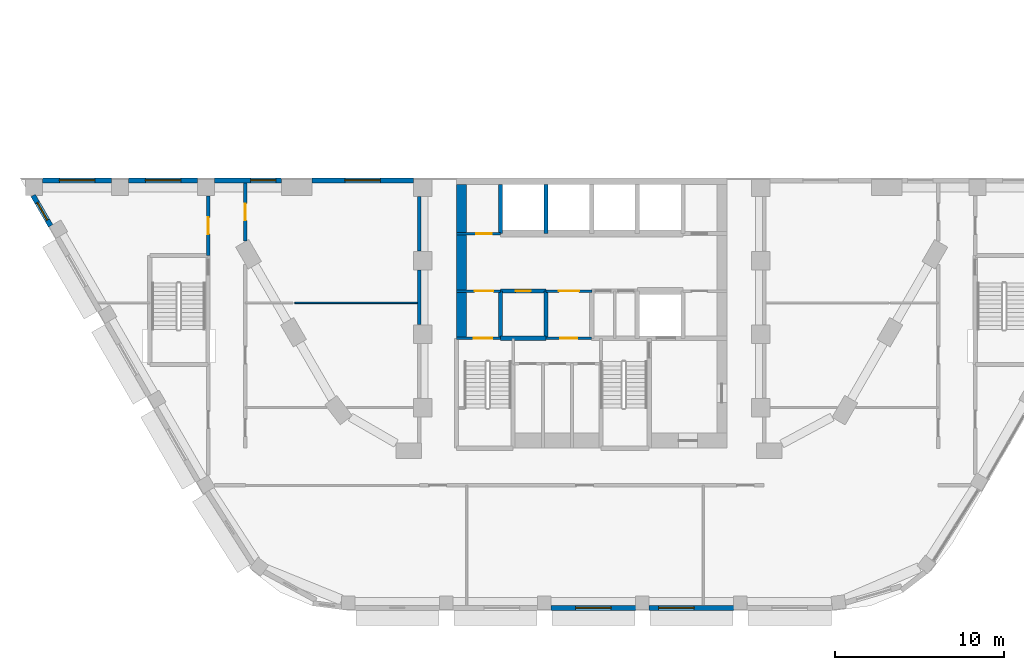
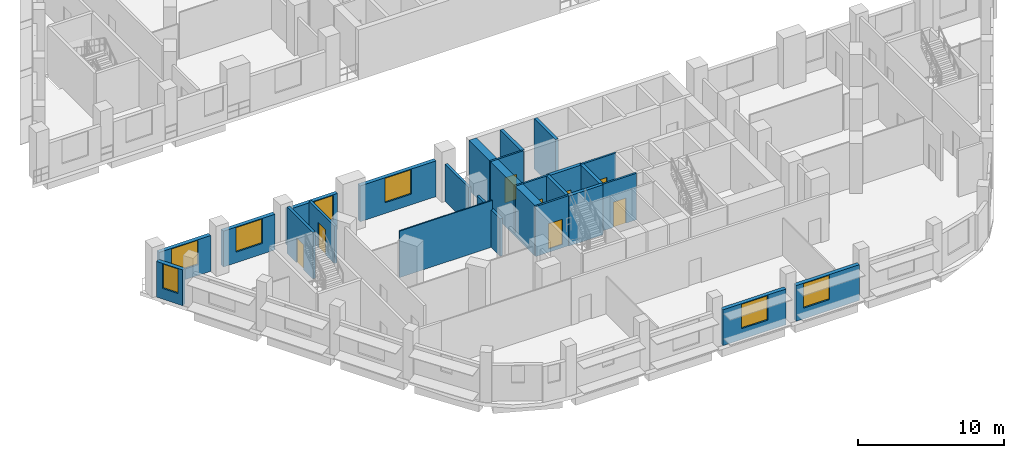
# One storey, part 20 of 47: 24 walls, 8 doors, 7 windows, 15 openings.
"""IFC4 building model written with IfcOpenShell, lengths in metres."""

import ifcopenshell
import ifcopenshell.guid

model = None  # the IFC model being written
_history = None  # IfcOwnerHistory: only IFC2X3 demands one
_inside = {}  # id of a spatial element -> (the spatial element, [elements in it])
_under = {}  # id of a project, library or spatial element -> (it, [spatial elements below it])
_declared = {}  # id of a project -> (the project, [libraries it declares])
_typed = {}  # id of a type object -> (the type object, [elements of that type])
_made_of = {}  # id of a material, layer set ... -> (it, [elements and type objects made of it])


def new_model(schema):
    """Start an empty IFC model of exactly this schema.

    Asked for "IFC4X3", IfcOpenShell would pick the latest addendum, in which some entities
    have other attributes; the version numbers below select the first issue.
    IFC2X3 requires an IfcOwnerHistory on every rooted entity: one is made here for all.
    """
    global model, _history
    if schema == "IFC4X3":
        model = ifcopenshell.file(schema_version=(4, 3, 0, 0))
    else:
        model = ifcopenshell.file(schema=schema)
    _inside.clear()
    _under.clear()
    _declared.clear()
    _typed.clear()
    _made_of.clear()
    _history = None
    if model.schema == "IFC2X3":
        org = make("IfcOrganization", Name="unknown")
        user = make(
            "IfcPersonAndOrganization",
            ThePerson=make("IfcPerson", FamilyName="unknown"),
            TheOrganization=org,
        )
        app = make(
            "IfcApplication",
            ApplicationDeveloper=org,
            Version="unknown",
            ApplicationFullName="unknown",
            ApplicationIdentifier="unknown",
        )
        _history = make(
            "IfcOwnerHistory",
            OwningUser=user,
            OwningApplication=app,
            ChangeAction="ADDED",
            CreationDate=0,
        )
    return model


def make(cls, **values):
    """One entity of the class cls with the attributes given. An attribute that is None is left unset."""
    return model.create_entity(
        cls, **{name: value for name, value in values.items() if value is not None}
    )


def rooted(cls, **values):
    """An entity with a GlobalId (a new one), such as an element, a storey or a relation."""
    return make(cls, GlobalId=ifcopenshell.guid.new(), OwnerHistory=_history, **values)


def si_unit(unit_type, name, prefix=None):
    """IfcSIUnit, for example si_unit("LENGTHUNIT", "METRE", prefix="MILLI")."""
    return make("IfcSIUnit", UnitType=unit_type, Prefix=prefix, Name=name)


def assignment(units):
    """IfcUnitAssignment: the units of a project."""
    return None if units is None else make("IfcUnitAssignment", Units=units)


def point(xyz):
    """IfcCartesianPoint."""
    return None if xyz is None else make("IfcCartesianPoint", Coordinates=xyz)


def direction(xyz):
    """IfcDirection."""
    return None if xyz is None else make("IfcDirection", DirectionRatios=xyz)


def frame(location, z_axis=None, x_axis=None):
    """IfcAxis2Placement3D, a coordinate frame: its origin and axes. An axis left out is left unset."""
    return make(
        "IfcAxis2Placement3D",
        Location=point(location),
        Axis=direction(z_axis),
        RefDirection=direction(x_axis),
    )


def frame_2d(location, x_axis=None):
    """IfcAxis2Placement2D, a coordinate frame in the plane: its origin and x axis."""
    return make(
        "IfcAxis2Placement2D", Location=point(location), RefDirection=direction(x_axis)
    )


def origin():
    """The frame at (0, 0, 0) with its axes left unset."""
    return frame((0.0, 0.0, 0.0))


def place(relative_to, where):
    """IfcLocalPlacement: puts the frame where relative to a parent placement (None: the world)."""
    return make(
        "IfcLocalPlacement", PlacementRelTo=relative_to, RelativePlacement=where
    )


def context(
    kind, dimensions, precision=None, world=None, true_north=None, identifier=None
):
    """IfcGeometricRepresentationContext, for example the 3D "Model" context."""
    return make(
        "IfcGeometricRepresentationContext",
        ContextIdentifier=identifier,
        ContextType=kind,
        CoordinateSpaceDimension=dimensions,
        Precision=precision,
        WorldCoordinateSystem=world,
        TrueNorth=true_north,
    )


def subcontext(parent, identifier, kind, view, scale=None):
    """IfcGeometricRepresentationSubContext, for example "Body" below "Model"."""
    return make(
        "IfcGeometricRepresentationSubContext",
        ContextIdentifier=identifier,
        ContextType=kind,
        ParentContext=parent,
        TargetScale=scale,
        TargetView=view,
    )


def project(units=None, contexts=None):
    """IfcProject with its units and contexts."""
    return rooted(
        "IfcProject",
        Name="project",
        RepresentationContexts=contexts,
        UnitsInContext=assignment(units),
    )


def spatial(cls, under=None, at=None, **own):
    """A site, building, storey or space (cls), placed at a placement, below another one or the project."""
    s = rooted(cls, ObjectPlacement=at, **own)
    if under is not None:
        _under.setdefault(under.id(), (under, []))[1].append(s)
    return s


def profile(cls, at=None, kind="AREA", **sizes):
    """A parametric profile (cls). Its sizes go by their IFC names, for example OverallWidth=200.0."""
    return make(cls, ProfileType=kind, Position=at, **sizes)


def rectangle(**sizes):
    """IfcRectangleProfileDef."""
    return profile("IfcRectangleProfileDef", **sizes)


def extrude(swept, where, along, depth):
    """IfcExtrudedAreaSolid: the profile swept, set in the frame where, extruded along a direction by depth."""
    return make(
        "IfcExtrudedAreaSolid",
        SweptArea=swept,
        Position=where,
        ExtrudedDirection=direction(along),
        Depth=depth,
    )


def shape(context_of_items, identifier, shape_type, items):
    """IfcShapeRepresentation: the items that make up one representation, for example the "Body"."""
    return make(
        "IfcShapeRepresentation",
        ContextOfItems=context_of_items,
        RepresentationIdentifier=identifier,
        RepresentationType=shape_type,
        Items=items,
    )


def material(Name=None, Category=None):
    """IfcMaterial."""
    return make("IfcMaterial", Name=Name, Category=Category)


def layer(
    of_material, thickness, ventilated=None, Name=None, Category=None, Priority=None
):
    """IfcMaterialLayer: one layer of a wall or slab, of a material (None: an air gap)."""
    return make(
        "IfcMaterialLayer",
        Material=of_material,
        LayerThickness=thickness,
        IsVentilated=ventilated,
        Name=Name,
        Category=Category,
        Priority=Priority,
    )


def layer_set(layers, Name=None):
    """IfcMaterialLayerSet."""
    return make("IfcMaterialLayerSet", MaterialLayers=layers, LayerSetName=Name)


def made_of(thing, what):
    """Note that an element or type object is made of a material, layer set ...; save() writes the relation."""
    if what is not None:
        _made_of.setdefault(what.id(), (what, []))[1].append(thing)
    return thing


def type_object(cls, material=None, **own):
    """A type object (cls), such as IfcWallType, which elements share."""
    return made_of(rooted(cls, **own), material)


def element(
    cls,
    number,
    at=None,
    inside=None,
    cuts=None,
    type_object=None,
    material=None,
    context=None,
    identifier="Body",
    shape_type=None,
    held_by="IfcProductDefinitionShape",
    body=None,
    shapes=None,
    **own,
):
    """One element of the class cls, such as IfcWall. Its Tag is "e" and its number.

    at: its placement. inside: the storey or other place that contains it. cuts: it is an
    opening in that element (IfcRelVoidsElement). A single representation is given by context,
    identifier, shape_type and body (its items); several are given by shapes. held_by: the class
    of the entity that holds the representations. save() writes the other relations.
    """
    e = rooted(cls, Tag="e%d" % number, ObjectPlacement=at, **own)
    if body is not None:
        shapes = [shape(context, identifier, shape_type, body)]
    if shapes is not None:
        e.Representation = make(held_by, Representations=shapes)
    if inside is not None:
        _inside.setdefault(inside.id(), (inside, []))[1].append(e)
    if cuts is not None:
        rooted(
            "IfcRelVoidsElement", RelatingBuildingElement=cuts, RelatedOpeningElement=e
        )
    if type_object is not None:
        _typed.setdefault(type_object.id(), (type_object, []))[1].append(e)
    return made_of(e, material)


def fill(opening, filler):
    """IfcRelFillsElement: the door or window that sits in an opening."""
    return rooted(
        "IfcRelFillsElement",
        RelatingOpeningElement=opening,
        RelatedBuildingElement=filler,
    )


def aggregate(whole, parts):
    """IfcRelAggregates: a whole, such as a stair, and the parts it consists of."""
    return rooted("IfcRelAggregates", RelatingObject=whole, RelatedObjects=parts)


def save(model, path):
    """Write the relations noted so far, then the file.

    IfcRelAggregates (storeys below a building ...), IfcRelContainedInSpatialStructure (elements
    in a storey), IfcRelDefinesByType, IfcRelAssociatesMaterial and IfcRelDeclares: one each for
    every whole, place, type object, material and project.
    """
    for whole, parts in _under.values():
        aggregate(whole, parts)
    for where, things in _inside.values():
        rooted(
            "IfcRelContainedInSpatialStructure",
            RelatedElements=things,
            RelatingStructure=where,
        )
    for kind, things in _typed.values():
        rooted("IfcRelDefinesByType", RelatedObjects=things, RelatingType=kind)
    for what, things in _made_of.values():
        rooted("IfcRelAssociatesMaterial", RelatedObjects=things, RelatingMaterial=what)
    for by, libraries in _declared.values():
        rooted("IfcRelDeclares", RelatingContext=by, RelatedDefinitions=libraries)
    model.write(path)


model = new_model("IFC4")

# Units and contexts
model_context = context("Model", 3, precision=1e-05, world=origin(), true_north=direction((0.0, 1.0)))
body_context = subcontext(model_context, "Body", "Model", "MODEL_VIEW")
ifc_project = project(units=[si_unit("LENGTHUNIT", "METRE"), si_unit("AREAUNIT", "SQUARE_METRE"), si_unit("VOLUMEUNIT", "CUBIC_METRE"), si_unit("PLANEANGLEUNIT", "RADIAN"), si_unit("MASSUNIT", "GRAM", prefix="KILO")], contexts=[model_context])

# Site, building, storey
site_placement = place(None, origin())
site = spatial("IfcSite", under=ifc_project, at=site_placement, CompositionType="ELEMENT")
building_placement = place(site_placement, origin())
building = spatial("IfcBuilding", under=site, at=building_placement, Name="Nakaniwa Court", CompositionType="ELEMENT")
storey_placement = place(building_placement, frame((0.0, 0.0, 15.60009765625)))
storey = spatial("IfcBuildingStorey", under=building, at=storey_placement, Name="L03", CompositionType="ELEMENT", Elevation=15.60009765625)

# Wall, opening, door
ifc_material_1 = material(Name="Acoustic double stud partition")
ifc_layer_1 = layer(ifc_material_1, 0.199951171875)
ifc_layer_set_1 = layer_set([ifc_layer_1], Name="Acoustic double stud partition")
wall_type_1 = type_object("IfcWallType", Name="Acoustic double stud partition 200", PredefinedType="PARTITIONING", material=ifc_layer_set_1)
wall_1_placement = place(storey_placement, frame((57.300048828125, 67.9970703125, 0.0), z_axis=(0.0, 0.0, 1.0), x_axis=(0.0, 1.0, 0.0)))
wall_1 = element("IfcWall", 1, at=wall_1_placement, inside=storey, type_object=wall_type_1, Name="Partition PW-095", PredefinedType="PARTITIONING", context=body_context, shape_type="SweptSolid", body=[
    extrude(rectangle(XDim=3.535888671875, YDim=0.199951171875, at=frame_2d((1.76806640625, 0.0))), origin(), (0.0, 0.0, 1.0), 3.89990234375),
])
opening_1_placement = place(wall_1_placement, frame((1.26806640625, 0.0, 0.0)))
opening_1 = element("IfcOpeningElement", 2, at=opening_1_placement, cuts=wall_1, Name="Opening D-02-12", PredefinedType="OPENING", context=body_context, shape_type="SweptSolid", body=[
    extrude(rectangle(XDim=1.0, YDim=2.10009765625, at=frame_2d((0.5, 1.050048828125))), frame((0.0, 0.10986328125, 0.0), z_axis=(0.0, -1.0, 0.0), x_axis=(1.0, 0.0, 0.0)), (0.0, 0.0, 1.0), 0.219970703125),
])
ifc_material_2 = material(Name="Solid core timber door set, black veneer", Category="wood")
door_type_1 = type_object("IfcDoorType", Name="Internal door 1000", OperationType="NOTDEFINED", PredefinedType="DOOR", material=ifc_material_2)
door_1_placement = place(opening_1_placement, origin())
door_1 = element("IfcDoor", 3, at=door_1_placement, inside=storey, type_object=door_type_1, Name="Door D-02-12 L03-044", OperationType="SINGLE_SWING_LEFT", OverallHeight=2.10009765625, OverallWidth=1.0, PredefinedType="DOOR", context=body_context, shape_type="SweptSolid", body=[
    extrude(rectangle(XDim=1.0, YDim=2.10009765625, at=frame_2d((0.5, 1.050048828125))), frame((0.0, 0.02490234375, 0.0), z_axis=(0.0, -1.0, 0.0), x_axis=(1.0, 0.0, 0.0)), (0.0, 0.0, 1.0), 0.050048828125),
])
fill(opening_1, door_1)

wall_2_placement = place(storey_placement, frame((59.5, 72.300048828125, 0.0), z_axis=(0.0, 0.0, 1.0), x_axis=(0.0, -1.0, 0.0)))
wall_2 = element("IfcWall", 4, at=wall_2_placement, inside=storey, type_object=wall_type_1, Name="Partition PW-099", PredefinedType="PARTITIONING", context=body_context, shape_type="SweptSolid", body=[
    extrude(rectangle(XDim=3.44921875, YDim=0.199951171875, at=frame_2d((1.724609375, 0.0))), origin(), (0.0, 0.0, 1.0), 3.1298828125),
])
opening_2_placement = place(wall_2_placement, frame((1.222900390625, 0.0, 0.0)))
opening_2 = element("IfcOpeningElement", 5, at=opening_2_placement, cuts=wall_2, Name="Opening D-02-17", PredefinedType="OPENING", context=body_context, shape_type="SweptSolid", body=[
    extrude(rectangle(XDim=1.0, YDim=2.10009765625, at=frame_2d((0.5, 1.050048828125))), frame((0.0, 0.10986328125, 0.0), z_axis=(0.0, -1.0, 0.0), x_axis=(1.0, 0.0, 0.0)), (0.0, 0.0, 1.0), 0.219970703125),
])
door_2_placement = place(opening_2_placement, origin())
door_2 = element("IfcDoor", 6, at=door_2_placement, inside=storey, type_object=door_type_1, Name="Door D-02-17 L03-049", OperationType="SINGLE_SWING_RIGHT", OverallHeight=2.10009765625, OverallWidth=1.0, PredefinedType="DOOR", context=body_context, shape_type="SweptSolid", body=[
    extrude(rectangle(XDim=1.0, YDim=2.10009765625, at=frame_2d((0.5, 1.050048828125))), frame((0.0, 0.02490234375, 0.0), z_axis=(0.0, -1.0, 0.0), x_axis=(1.0, 0.0, 0.0)), (0.0, 0.0, 1.0), 0.050048828125),
])
fill(opening_2, door_2)

# Walls
wall_3_placement = place(storey_placement, frame((69.800048828125, 63.9169921875, 0.0), z_axis=(0.0, 0.0, 1.0), x_axis=(0.0, 1.0, 0.0)))
element("IfcWall", 7, at=wall_3_placement, inside=storey, type_object=wall_type_1, Name="Partition PW-112", PredefinedType="PARTITIONING", context=body_context, shape_type="SweptSolid", body=[
    extrude(rectangle(XDim=3.216064453125, YDim=0.199951171875, at=frame_2d((1.60791015625, 0.0))), origin(), (0.0, 0.0, 1.0), 3.1298828125),
])
wall_4_placement = place(storey_placement, frame((69.800048828125, 68.26708984375, 0.0), z_axis=(0.0, 0.0, 1.0), x_axis=(0.0, 1.0, 0.0)))
element("IfcWall", 8, at=wall_4_placement, inside=storey, type_object=wall_type_1, Name="Partition PW-113", PredefinedType="PARTITIONING", context=body_context, shape_type="SweptSolid", body=[
    extrude(rectangle(XDim=3.2158203125, YDim=0.199951171875, at=frame_2d((1.60791015625, 0.0))), origin(), (0.0, 0.0, 1.0), 3.1298828125),
])

# Wall, opening, window
ifc_material_3 = material(Name="Charcoal ceramic cladding")
ifc_layer_2 = layer(ifc_material_3, 0.02, Name="Ceramic cladding")
ifc_material_4 = material(Name="Ventilated air cavity")
ifc_layer_3 = layer(ifc_material_4, 0.04, ventilated=True, Name="Ventilated cavity")
ifc_material_5 = material(Name="Mineral wool insulation")
ifc_layer_4 = layer(ifc_material_5, 0.1, Name="Insulation")
ifc_material_6 = material(Name="Cement bonded sheathing board")
ifc_layer_5 = layer(ifc_material_6, 0.012, Name="Sheathing")
ifc_material_7 = material(Name="Cold-formed galvanised stud frame with mineral wool infill")
ifc_layer_6 = layer(ifc_material_7, 0.1, Name="Stud frame")
ifc_material_8 = material(Name="Fire-rated gypsum plasterboard lining")
ifc_layer_7 = layer(ifc_material_8, 0.028, Name="Lining")
ifc_layer_set_2 = layer_set([ifc_layer_2, ifc_layer_3, ifc_layer_4, ifc_layer_5, ifc_layer_6, ifc_layer_7], Name="Charcoal ceramic faced external wall system")
wall_type_2 = type_object("IfcWallType", Name="Black ceramic faced external wall 300", PredefinedType="SOLIDWALL", material=ifc_layer_set_2)
wall_5_placement = place(storey_placement, frame((69.4541015625, 72.449951171875, 0.0), z_axis=(0.0, 0.0, 1.0), x_axis=(-1.0, 0.0, 0.0)))
wall_5 = element("IfcWall", 9, at=wall_5_placement, inside=storey, type_object=wall_type_2, Name="L03 external wall 08", PredefinedType="SOLIDWALL", context=body_context, shape_type="SweptSolid", body=[
    extrude(rectangle(XDim=6.01611328125, YDim=0.300048828125, at=frame_2d((3.008056640625, 0.0))), origin(), (0.0, 0.0, 1.0), 3.0),
])
opening_3_placement = place(wall_5_placement, frame((1.9580078125, 0.0, 0.89990234375)))
opening_3 = element("IfcOpeningElement", 10, at=opening_3_placement, cuts=wall_5, Name="Opening W2.05", PredefinedType="OPENING", context=body_context, shape_type="SweptSolid", body=[
    extrude(rectangle(XDim=2.10009765625, YDim=2.050048828125, at=frame_2d((1.050048828125, 1.02490234375))), frame((0.0, 0.159912109375, 0.0), z_axis=(0.0, -1.0, 0.0), x_axis=(1.0, 0.0, 0.0)), (0.0, 0.0, 1.0), 0.320068359375),
])
ifc_material_9 = material(Name="Black anodised aluminium frame with dark low-E laminated double glazing", Category="aluminium")
window_type_1 = type_object("IfcWindowType", Name="Dark glass window 2100x2050 sill 900", PartitioningType="SINGLE_PANEL", PredefinedType="WINDOW", material=ifc_material_9)
window_1_placement = place(opening_3_placement, origin())
window_1 = element("IfcWindow", 11, at=window_1_placement, inside=storey, type_object=window_type_1, Name="L03 habitable room window 08-0", OverallHeight=2.050048828125, OverallWidth=2.10009765625, PartitioningType="SINGLE_PANEL", PredefinedType="WINDOW", context=body_context, shape_type="SweptSolid", body=[
    extrude(rectangle(XDim=2.10009765625, YDim=2.050048828125, at=frame_2d((1.050048828125, 1.02490234375))), frame((0.0, 0.030029296875, 0.0), z_axis=(0.0, -1.0, 0.0), x_axis=(1.0, 0.0, 0.0)), (0.0, 0.0, 1.0), 0.06005859375),
])
fill(opening_3, window_1)

wall_6_placement = place(storey_placement, frame((61.64599609375, 72.449951171875, 0.0), z_axis=(0.0, 0.0, 1.0), x_axis=(-1.0, 0.0, 0.0)))
wall_6 = element("IfcWall", 12, at=wall_6_placement, inside=storey, type_object=wall_type_2, Name="L03 external wall 09", PredefinedType="SOLIDWALL", context=body_context, shape_type="SweptSolid", body=[
    extrude(rectangle(XDim=3.972900390625, YDim=0.300048828125, at=frame_2d((1.986328125, 0.0))), origin(), (0.0, 0.0, 1.0), 3.0),
])
opening_4_placement = place(wall_6_placement, frame((0.3349609375, 0.0, 0.89990234375)))
opening_4 = element("IfcOpeningElement", 13, at=opening_4_placement, cuts=wall_6, Name="Opening W4.06", PredefinedType="OPENING", context=body_context, shape_type="SweptSolid", body=[
    extrude(rectangle(XDim=1.5, YDim=2.050048828125, at=frame_2d((0.75, 1.02490234375))), frame((0.0, 0.159912109375, 0.0), z_axis=(0.0, -1.0, 0.0), x_axis=(1.0, 0.0, 0.0)), (0.0, 0.0, 1.0), 0.320068359375),
])
window_type_2 = type_object("IfcWindowType", Name="Dark glass window 1500x2050 sill 900", PartitioningType="SINGLE_PANEL", PredefinedType="WINDOW", material=ifc_material_9)
window_2_placement = place(opening_4_placement, origin())
window_2 = element("IfcWindow", 14, at=window_2_placement, inside=storey, type_object=window_type_2, Name="L03 habitable room window 09-0", OverallHeight=2.050048828125, OverallWidth=1.5, PartitioningType="SINGLE_PANEL", PredefinedType="WINDOW", context=body_context, shape_type="SweptSolid", body=[
    extrude(rectangle(XDim=1.5, YDim=2.050048828125, at=frame_2d((0.75, 1.02490234375))), frame((0.0, 0.030029296875, 0.0), z_axis=(0.0, -1.0, 0.0), x_axis=(1.0, 0.0, 0.0)), (0.0, 0.0, 1.0), 0.06005859375),
])
fill(opening_4, window_2)

wall_7_placement = place(storey_placement, frame((56.680908203125, 72.449951171875, 0.0), z_axis=(0.0, 0.0, 1.0), x_axis=(-1.0, 0.0, 0.0)))
wall_7 = element("IfcWall", 15, at=wall_7_placement, inside=storey, type_object=wall_type_2, Name="L03 external wall 10", PredefinedType="SOLIDWALL", context=body_context, shape_type="SweptSolid", body=[
    extrude(rectangle(XDim=4.093994140625, YDim=0.300048828125, at=frame_2d((2.046875, 0.0))), origin(), (0.0, 0.0, 1.0), 3.0),
])
opening_5_placement = place(wall_7_placement, frame((0.9970703125, 0.0, 0.89990234375)))
opening_5 = element("IfcOpeningElement", 16, at=opening_5_placement, cuts=wall_7, Name="Opening W2.07", PredefinedType="OPENING", context=body_context, shape_type="SweptSolid", body=[
    extrude(rectangle(XDim=2.10009765625, YDim=2.050048828125, at=frame_2d((1.050048828125, 1.02490234375))), frame((0.0, 0.159912109375, 0.0), z_axis=(0.0, -1.0, 0.0), x_axis=(1.0, 0.0, 0.0)), (0.0, 0.0, 1.0), 0.320068359375),
])
window_3_placement = place(opening_5_placement, origin())
window_3 = element("IfcWindow", 17, at=window_3_placement, inside=storey, type_object=window_type_1, Name="L03 habitable room window 10-0", OverallHeight=2.050048828125, OverallWidth=2.10009765625, PartitioningType="SINGLE_PANEL", PredefinedType="WINDOW", context=body_context, shape_type="SweptSolid", body=[
    extrude(rectangle(XDim=2.10009765625, YDim=2.050048828125, at=frame_2d((1.050048828125, 1.02490234375))), frame((0.0, 0.030029296875, 0.0), z_axis=(0.0, -1.0, 0.0), x_axis=(1.0, 0.0, 0.0)), (0.0, 0.0, 1.0), 0.06005859375),
])
fill(opening_5, window_3)

wall_8_placement = place(storey_placement, frame((51.594970703125, 72.449951171875, 0.0), z_axis=(0.0, 0.0, 1.0), x_axis=(-1.0, 0.0, 0.0)))
wall_8 = element("IfcWall", 18, at=wall_8_placement, inside=storey, type_object=wall_type_2, Name="L03 external wall 11", PredefinedType="SOLIDWALL", context=body_context, shape_type="SweptSolid", body=[
    extrude(rectangle(XDim=4.094970703125, YDim=0.300048828125, at=frame_2d((2.04736328125, 0.0))), origin(), (0.0, 0.0, 1.0), 3.0),
])
opening_6_placement = place(wall_8_placement, frame((0.99755859375, 0.0, 0.89990234375)))
opening_6 = element("IfcOpeningElement", 19, at=opening_6_placement, cuts=wall_8, Name="Opening W2.08", PredefinedType="OPENING", context=body_context, shape_type="SweptSolid", body=[
    extrude(rectangle(XDim=2.10009765625, YDim=2.050048828125, at=frame_2d((1.050048828125, 1.02490234375))), frame((0.0, 0.159912109375, 0.0), z_axis=(0.0, -1.0, 0.0), x_axis=(1.0, 0.0, 0.0)), (0.0, 0.0, 1.0), 0.320068359375),
])
window_4_placement = place(opening_6_placement, origin())
window_4 = element("IfcWindow", 20, at=window_4_placement, inside=storey, type_object=window_type_1, Name="L03 habitable room window 11-0", OverallHeight=2.050048828125, OverallWidth=2.10009765625, PartitioningType="SINGLE_PANEL", PredefinedType="WINDOW", context=body_context, shape_type="SweptSolid", body=[
    extrude(rectangle(XDim=2.10009765625, YDim=2.050048828125, at=frame_2d((1.050048828125, 1.02490234375))), frame((0.0, 0.030029296875, 0.0), z_axis=(0.0, -1.0, 0.0), x_axis=(1.0, 0.0, 0.0)), (0.0, 0.0, 1.0), 0.06005859375),
])
fill(opening_6, window_4)

wall_9_placement = place(storey_placement, frame((46.944580078125, 71.553466796875, 0.0), z_axis=(0.0, 0.0, 1.0), x_axis=(0.500020978615, -0.866013291437, 0.0)))
wall_9 = element("IfcWall", 21, at=wall_9_placement, inside=storey, type_object=wall_type_2, Name="L03 external wall 12", PredefinedType="SOLIDWALL", context=body_context, shape_type="SweptSolid", body=[
    extrude(rectangle(XDim=2.07666015625, YDim=0.300048828125, at=frame_2d((1.038330078125, 0.0))), origin(), (0.0, 0.0, 1.0), 3.0),
])
opening_7_placement = place(wall_9_placement, frame((0.489013671875, 0.0, 0.89990234375)))
opening_7 = element("IfcOpeningElement", 22, at=opening_7_placement, cuts=wall_9, Name="Opening W1.09", PredefinedType="OPENING", context=body_context, shape_type="SweptSolid", body=[
    extrude(rectangle(XDim=1.199951171875, YDim=2.050048828125, at=frame_2d((0.60009765625, 1.02490234375))), frame((0.0, 0.159912109375, 0.0), z_axis=(0.0, -1.0, 0.0), x_axis=(1.0, 0.0, 0.0)), (0.0, 0.0, 1.0), 0.320068359375),
])
window_type_3 = type_object("IfcWindowType", Name="Dark glass window 1200x2050 sill 900", PartitioningType="SINGLE_PANEL", PredefinedType="WINDOW", material=ifc_material_9)
window_5_placement = place(opening_7_placement, origin())
window_5 = element("IfcWindow", 23, at=window_5_placement, inside=storey, type_object=window_type_3, Name="L03 habitable room window 12-0", OverallHeight=2.050048828125, OverallWidth=1.199951171875, PartitioningType="SINGLE_PANEL", PredefinedType="WINDOW", context=body_context, shape_type="SweptSolid", body=[
    extrude(rectangle(XDim=1.199951171875, YDim=2.050048828125, at=frame_2d((0.60009765625, 1.02490234375))), frame((0.0, 0.030029296875, 0.0), z_axis=(0.0, -1.0, 0.0), x_axis=(1.0, 0.0, 0.0)), (0.0, 0.0, 1.0), 0.06005859375),
])
fill(opening_7, window_5)

wall_10_placement = place(storey_placement, frame((77.59619140625, 47.14990234375, 0.0), z_axis=(0.0, 0.0, 1.0), x_axis=(1.0, 0.0, 0.0)))
wall_10 = element("IfcWall", 24, at=wall_10_placement, inside=storey, type_object=wall_type_2, Name="L03 external wall 21", PredefinedType="SOLIDWALL", context=body_context, shape_type="SweptSolid", body=[
    extrude(rectangle(XDim=5.01025390625, YDim=0.300048828125, at=frame_2d((2.505126953125, 0.0))), origin(), (0.0, 0.0, 1.0), 3.0),
])
opening_8_placement = place(wall_10_placement, frame((1.455078125, 0.0, 0.89990234375)))
opening_8 = element("IfcOpeningElement", 25, at=opening_8_placement, cuts=wall_10, Name="Opening W2.18", PredefinedType="OPENING", context=body_context, shape_type="SweptSolid", body=[
    extrude(rectangle(XDim=2.10009765625, YDim=2.050048828125, at=frame_2d((1.050048828125, 1.02490234375))), frame((0.0, 0.159912109375, 0.0), z_axis=(0.0, -1.0, 0.0), x_axis=(1.0, 0.0, 0.0)), (0.0, 0.0, 1.0), 0.320068359375),
])
window_6_placement = place(opening_8_placement, origin())
window_6 = element("IfcWindow", 26, at=window_6_placement, inside=storey, type_object=window_type_1, Name="L03 habitable room window 21-0", OverallHeight=2.050048828125, OverallWidth=2.10009765625, PartitioningType="SINGLE_PANEL", PredefinedType="WINDOW", context=body_context, shape_type="SweptSolid", body=[
    extrude(rectangle(XDim=2.10009765625, YDim=2.050048828125, at=frame_2d((1.050048828125, 1.02490234375))), frame((0.0, 0.030029296875, 0.0), z_axis=(0.0, -1.0, 0.0), x_axis=(1.0, 0.0, 0.0)), (0.0, 0.0, 1.0), 0.06005859375),
])
fill(opening_8, window_6)

wall_11_placement = place(storey_placement, frame((83.3984375, 47.14990234375, 0.0), z_axis=(0.0, 0.0, 1.0), x_axis=(1.0, 0.0, 0.0)))
wall_11 = element("IfcWall", 27, at=wall_11_placement, inside=storey, type_object=wall_type_2, Name="L03 external wall 22", PredefinedType="SOLIDWALL", context=body_context, shape_type="SweptSolid", body=[
    extrude(rectangle(XDim=5.01025390625, YDim=0.300048828125, at=frame_2d((2.505126953125, 0.0))), origin(), (0.0, 0.0, 1.0), 3.0),
])
opening_9_placement = place(wall_11_placement, frame((0.562744140625, 0.0, 0.89990234375)))
opening_9 = element("IfcOpeningElement", 28, at=opening_9_placement, cuts=wall_11, Name="Opening W2.19", PredefinedType="OPENING", context=body_context, shape_type="SweptSolid", body=[
    extrude(rectangle(XDim=2.10009765625, YDim=2.050048828125, at=frame_2d((1.050048828125, 1.02490234375))), frame((0.0, 0.159912109375, 0.0), z_axis=(0.0, -1.0, 0.0), x_axis=(1.0, 0.0, 0.0)), (0.0, 0.0, 1.0), 0.320068359375),
])
window_7_placement = place(opening_9_placement, origin())
window_7 = element("IfcWindow", 29, at=window_7_placement, inside=storey, type_object=window_type_1, Name="L03 habitable room window 22-0", OverallHeight=2.050048828125, OverallWidth=2.10009765625, PartitioningType="SINGLE_PANEL", PredefinedType="WINDOW", context=body_context, shape_type="SweptSolid", body=[
    extrude(rectangle(XDim=2.10009765625, YDim=2.050048828125, at=frame_2d((1.050048828125, 1.02490234375))), frame((0.0, 0.030029296875, 0.0), z_axis=(0.0, -1.0, 0.0), x_axis=(1.0, 0.0, 0.0)), (0.0, 0.0, 1.0), 0.06005859375),
])
fill(opening_9, window_7)

# Wall, opening, door
ifc_material_10 = material(Name="Blockwork partition", Category="masonry")
ifc_layer_8 = layer(ifc_material_10, 0.14990234375)
ifc_layer_set_3 = layer_set([ifc_layer_8], Name="Blockwork partition")
wall_type_3 = type_object("IfcWallType", Name="Blockwork partition 150", PredefinedType="PARTITIONING", material=ifc_layer_set_3)
wall_12_placement = place(storey_placement, frame((72.0, 69.300048828125, 0.0), z_axis=(0.0, 0.0, 1.0), x_axis=(1.0, 0.0, 0.0)))
wall_12 = element("IfcWall", 30, at=wall_12_placement, inside=storey, type_object=wall_type_3, Name="Partition PW-042", PredefinedType="PARTITIONING", context=body_context, shape_type="SweptSolid", body=[
    extrude(rectangle(XDim=2.60009765625, YDim=0.14990234375, at=frame_2d((1.300048828125, 0.0))), origin(), (0.0, 0.0, 1.0), 3.89990234375),
])
opening_10_placement = place(wall_12_placement, frame((1.175048828125, 0.0, 0.0)))
opening_10 = element("IfcOpeningElement", 31, at=opening_10_placement, cuts=wall_12, Name="Opening D-05-10", PredefinedType="OPENING", context=body_context, shape_type="SweptSolid", body=[
    extrude(rectangle(XDim=0.89990234375, YDim=2.10009765625, at=frame_2d((0.449951171875, 1.050048828125))), frame((0.0, 0.0849609375, 0.0), z_axis=(0.0, -1.0, 0.0), x_axis=(1.0, 0.0, 0.0)), (0.0, 0.0, 1.0), 0.169921875),
])
ifc_material_11 = material(Name="Fire rated steel door set", Category="steel")
door_type_2 = type_object("IfcDoorType", Name="Service room door 900", OperationType="NOTDEFINED", PredefinedType="DOOR", material=ifc_material_11)
door_3_placement = place(opening_10_placement, origin())
door_3 = element("IfcDoor", 32, at=door_3_placement, inside=storey, type_object=door_type_2, Name="Door D-05-10 L03-015", OperationType="SINGLE_SWING_RIGHT", OverallHeight=2.10009765625, OverallWidth=0.89990234375, PredefinedType="DOOR", context=body_context, shape_type="SweptSolid", body=[
    extrude(rectangle(XDim=0.89990234375, YDim=2.10009765625, at=frame_2d((0.449951171875, 1.050048828125))), frame((0.0, 0.02490234375, 0.0), z_axis=(0.0, -1.0, 0.0), x_axis=(1.0, 0.0, 0.0)), (0.0, 0.0, 1.0), 0.050048828125),
])
fill(opening_10, door_3)

wall_13_placement = place(storey_placement, frame((74.60302734375, 65.89990234375, 0.0), z_axis=(0.0, 0.0, 1.0), x_axis=(-1.0, 0.0, 0.0)))
wall_13 = element("IfcWall", 33, at=wall_13_placement, inside=storey, type_object=wall_type_3, Name="Partition PW-055", PredefinedType="PARTITIONING", context=body_context, shape_type="SweptSolid", body=[
    extrude(rectangle(XDim=2.60302734375, YDim=0.14990234375, at=frame_2d((1.301513671875, 0.0))), origin(), (0.0, 0.0, 1.0), 3.89990234375),
])
opening_11_placement = place(wall_13_placement, frame((0.427978515625, 0.0, 0.0)))
opening_11 = element("IfcOpeningElement", 34, at=opening_11_placement, cuts=wall_13, Name="Opening D-08-02", PredefinedType="OPENING", context=body_context, shape_type="SweptSolid", body=[
    extrude(rectangle(XDim=1.10009765625, YDim=2.10009765625, at=frame_2d((0.550048828125, 1.050048828125))), frame((0.0, 0.0849609375, 0.0), z_axis=(0.0, -1.0, 0.0), x_axis=(1.0, 0.0, 0.0)), (0.0, 0.0, 1.0), 0.169921875),
])
door_type_3 = type_object("IfcDoorType", Name="Stair lobby door 1100", OperationType="NOTDEFINED", PredefinedType="DOOR", material=ifc_material_11)
door_4_placement = place(opening_11_placement, origin())
door_4 = element("IfcDoor", 35, at=door_4_placement, inside=storey, type_object=door_type_3, Name="Door D-08-02 L03-017", OperationType="SINGLE_SWING_RIGHT", OverallHeight=2.10009765625, OverallWidth=1.10009765625, PredefinedType="DOOR", context=body_context, shape_type="SweptSolid", body=[
    extrude(rectangle(XDim=1.10009765625, YDim=2.10009765625, at=frame_2d((0.550048828125, 1.050048828125))), frame((0.0, 0.02490234375, 0.0), z_axis=(0.0, -1.0, 0.0), x_axis=(1.0, 0.0, 0.0)), (0.0, 0.0, 1.0), 0.050048828125),
])
fill(opening_11, door_4)

wall_14_placement = place(storey_placement, frame((80.0029296875, 65.89990234375, 0.0), z_axis=(0.0, 0.0, 1.0), x_axis=(-1.0, 0.0, 0.0)))
wall_14 = element("IfcWall", 36, at=wall_14_placement, inside=storey, type_object=wall_type_3, Name="Partition PW-056", PredefinedType="PARTITIONING", context=body_context, shape_type="SweptSolid", body=[
    extrude(rectangle(XDim=2.705810546875, YDim=0.14990234375, at=frame_2d((1.35302734375, 0.0))), origin(), (0.0, 0.0, 1.0), 3.89990234375),
])
opening_12_placement = place(wall_14_placement, frame((0.7529296875, 0.0, 0.0)))
opening_12 = element("IfcOpeningElement", 37, at=opening_12_placement, cuts=wall_14, Name="Opening D-06-02", PredefinedType="OPENING", context=body_context, shape_type="SweptSolid", body=[
    extrude(rectangle(XDim=1.199951171875, YDim=2.10009765625, at=frame_2d((0.60009765625, 1.050048828125))), frame((0.0, 0.0849609375, 0.0), z_axis=(0.0, -1.0, 0.0), x_axis=(1.0, 0.0, 0.0)), (0.0, 0.0, 1.0), 0.169921875),
])
ifc_material_12 = material(Name="Fire rated steel double door set", Category="steel")
door_type_4 = type_object("IfcDoorType", Name="Service passage double door 1200", OperationType="NOTDEFINED", PredefinedType="DOOR", material=ifc_material_12)
door_5_placement = place(opening_12_placement, origin())
door_5 = element("IfcDoor", 38, at=door_5_placement, inside=storey, type_object=door_type_4, Name="Door D-06-02 L03-019", OperationType="DOUBLE_DOOR_SINGLE_SWING", OverallHeight=2.10009765625, OverallWidth=1.199951171875, PredefinedType="DOOR", context=body_context, shape_type="SweptSolid", body=[
    extrude(rectangle(XDim=1.199951171875, YDim=2.10009765625, at=frame_2d((0.60009765625, 1.050048828125))), frame((0.0, 0.02490234375, 0.0), z_axis=(0.0, -1.0, 0.0), x_axis=(1.0, 0.0, 0.0)), (0.0, 0.0, 1.0), 0.050048828125),
])
fill(opening_12, door_5)

wall_15_placement = place(storey_placement, frame((80.0, 63.10009765625, 0.0), z_axis=(0.0, 0.0, 1.0), x_axis=(-1.0, 0.0, 0.0)))
wall_15 = element("IfcWall", 39, at=wall_15_placement, inside=storey, type_object=wall_type_3, Name="Partition PW-064", PredefinedType="PARTITIONING", context=body_context, shape_type="SweptSolid", body=[
    extrude(rectangle(XDim=2.699951171875, YDim=0.14990234375, at=frame_2d((1.35009765625, 0.0))), origin(), (0.0, 0.0, 1.0), 3.89990234375),
])
opening_13_placement = place(wall_15_placement, frame((0.85009765625, 0.0, 0.0)))
opening_13 = element("IfcOpeningElement", 40, at=opening_13_placement, cuts=wall_15, Name="Opening D-23-02", PredefinedType="OPENING", context=body_context, shape_type="SweptSolid", body=[
    extrude(rectangle(XDim=1.0, YDim=2.10009765625, at=frame_2d((0.5, 1.050048828125))), frame((0.0, 0.0849609375, 0.0), z_axis=(0.0, -1.0, 0.0), x_axis=(1.0, 0.0, 0.0)), (0.0, 0.0, 1.0), 0.169921875),
])
door_type_5 = type_object("IfcDoorType", Name="Service room door 1000", OperationType="NOTDEFINED", PredefinedType="DOOR", material=ifc_material_11)
door_6_placement = place(opening_13_placement, origin())
door_6 = element("IfcDoor", 41, at=door_6_placement, inside=storey, type_object=door_type_5, Name="Door D-23-02 L03-023", OperationType="SINGLE_SWING_RIGHT", OverallHeight=2.10009765625, OverallWidth=1.0, PredefinedType="DOOR", context=body_context, shape_type="SweptSolid", body=[
    extrude(rectangle(XDim=1.0, YDim=2.10009765625, at=frame_2d((0.5, 1.050048828125))), frame((0.0, 0.02490234375, 0.0), z_axis=(0.0, -1.0, 0.0), x_axis=(1.0, 0.0, 0.0)), (0.0, 0.0, 1.0), 0.050048828125),
])
fill(opening_13, door_6)

# Wall
ifc_material_13 = material(Name="Concrete C100/115", Category="concrete")
ifc_layer_9 = layer(ifc_material_13, 0.60009765625)
ifc_layer_set_4 = layer_set([ifc_layer_9], Name="Concrete C100/115")
wall_type_4 = type_object("IfcWallType", Name="Concrete core side wall 600 C100", PredefinedType="SHEAR", material=ifc_layer_set_4)
wall_16_placement = place(storey_placement, frame((72.300048828125, 63.10009765625, -0.300048828125), z_axis=(0.0, 0.0, 1.0), x_axis=(0.0, 1.0, 0.0)))
element("IfcWall", 42, at=wall_16_placement, inside=storey, type_object=wall_type_4, Name="Core wall SW-43", PredefinedType="SHEAR", context=body_context, shape_type="SweptSolid", body=[
    extrude(rectangle(XDim=9.099853515625, YDim=0.60009765625, at=frame_2d((4.5498046875, 0.0))), origin(), (0.0, 0.0, 1.0), 4.199951171875),
])

# Wall, opening, door
ifc_layer_10 = layer(ifc_material_13, 0.14990234375)
ifc_layer_set_5 = layer_set([ifc_layer_10], Name="Concrete C100/115")
wall_type_5 = type_object("IfcWallType", Name="Concrete core wall 150 C100", PredefinedType="SHEAR", material=ifc_layer_set_5)
wall_17_placement = place(storey_placement, frame((72.0, 63.10009765625, -0.300048828125), z_axis=(0.0, 0.0, 1.0), x_axis=(1.0, 0.0, 0.0)))
wall_17 = element("IfcWall", 43, at=wall_17_placement, inside=storey, type_object=wall_type_5, Name="Core wall SW-61", PredefinedType="SHEAR", context=body_context, shape_type="SweptSolid", body=[
    extrude(rectangle(XDim=2.60009765625, YDim=0.14990234375, at=frame_2d((1.300048828125, 0.0))), origin(), (0.0, 0.0, 1.0), 4.199951171875),
])
opening_14_placement = place(wall_17_placement, frame((1.02001953125, 0.0, 0.300048828125)))
opening_14 = element("IfcOpeningElement", 44, at=opening_14_placement, cuts=wall_17, Name="Opening D-09-02", PredefinedType="OPENING", context=body_context, shape_type="SweptSolid", body=[
    extrude(rectangle(XDim=1.10009765625, YDim=2.10009765625, at=frame_2d((0.550048828125, 1.050048828125))), frame((0.0, 0.0849609375, 0.0), z_axis=(0.0, -1.0, 0.0), x_axis=(1.0, 0.0, 0.0)), (0.0, 0.0, 1.0), 0.169921875),
])
door_type_6 = type_object("IfcDoorType", Name="Stair door 1100", OperationType="NOTDEFINED", PredefinedType="DOOR", material=ifc_material_11)
door_7_placement = place(opening_14_placement, origin())
door_7 = element("IfcDoor", 45, at=door_7_placement, inside=storey, type_object=door_type_6, Name="Door D-09-02 L03-027", OperationType="SINGLE_SWING_LEFT", OverallHeight=2.10009765625, OverallWidth=1.10009765625, PredefinedType="DOOR", context=body_context, shape_type="SweptSolid", body=[
    extrude(rectangle(XDim=1.10009765625, YDim=2.10009765625, at=frame_2d((0.550048828125, 1.050048828125))), frame((0.0, 0.02490234375, 0.0), z_axis=(0.0, -1.0, 0.0), x_axis=(1.0, 0.0, 0.0)), (0.0, 0.0, 1.0), 0.050048828125),
])
fill(opening_14, door_7)

# Walls
ifc_layer_11 = layer(ifc_material_13, 0.25)
ifc_layer_set_6 = layer_set([ifc_layer_11], Name="Concrete C100/115")
wall_type_6 = type_object("IfcWallType", Name="Concrete shaft wall 250 C100", PredefinedType="SHEAR", material=ifc_layer_set_6)
wall_18_placement = place(storey_placement, frame((74.60009765625, 63.10009765625, -0.300048828125), z_axis=(0.0, 0.0, 1.0), x_axis=(0.0, 1.0, 0.0)))
element("IfcWall", 46, at=wall_18_placement, inside=storey, type_object=wall_type_6, Name="Core wall SW-40", PredefinedType="SHEAR", context=body_context, shape_type="SweptSolid", body=[
    extrude(rectangle(XDim=2.7998046875, YDim=0.25, at=frame_2d((1.39990234375, 0.0))), origin(), (0.0, 0.0, 1.0), 4.199951171875),
])
wall_19_placement = place(storey_placement, frame((74.60009765625, 69.300048828125, -0.300048828125), z_axis=(0.0, 0.0, 1.0), x_axis=(0.0, 1.0, 0.0)))
element("IfcWall", 47, at=wall_19_placement, inside=storey, type_object=wall_type_6, Name="Core wall SW-41", PredefinedType="SHEAR", context=body_context, shape_type="SweptSolid", body=[
    extrude(rectangle(XDim=2.89990234375, YDim=0.25, at=frame_2d((1.449951171875, 0.0))), origin(), (0.0, 0.0, 1.0), 4.199951171875),
])
wall_20_placement = place(storey_placement, frame((77.300048828125, 63.10009765625, -0.300048828125), z_axis=(0.0, 0.0, 1.0), x_axis=(0.0, 1.0, 0.0)))
element("IfcWall", 48, at=wall_20_placement, inside=storey, type_object=wall_type_6, Name="Core wall SW-44", PredefinedType="SHEAR", context=body_context, shape_type="SweptSolid", body=[
    extrude(rectangle(XDim=2.7998046875, YDim=0.25, at=frame_2d((1.39990234375, 0.0))), origin(), (0.0, 0.0, 1.0), 4.199951171875),
])
wall_21_placement = place(storey_placement, frame((77.300048828125, 69.300048828125, -0.300048828125), z_axis=(0.0, 0.0, 1.0), x_axis=(0.0, 1.0, 0.0)))
element("IfcWall", 49, at=wall_21_placement, inside=storey, type_object=wall_type_6, Name="Core wall SW-45", PredefinedType="SHEAR", context=body_context, shape_type="SweptSolid", body=[
    extrude(rectangle(XDim=2.89990234375, YDim=0.25, at=frame_2d((1.449951171875, 0.0))), origin(), (0.0, 0.0, 1.0), 4.199951171875),
])

# Wall, opening, door
wall_22_placement = place(storey_placement, frame((77.302978515625, 65.89990234375, -0.300048828125), z_axis=(0.0, 0.0, 1.0), x_axis=(-1.0, 0.0, 0.0)))
wall_22 = element("IfcWall", 50, at=wall_22_placement, inside=storey, type_object=wall_type_6, Name="Core wall SW-58", PredefinedType="SHEAR", context=body_context, shape_type="SweptSolid", body=[
    extrude(rectangle(XDim=2.7060546875, YDim=0.25, at=frame_2d((1.35302734375, 0.0))), origin(), (0.0, 0.0, 1.0), 4.199951171875),
])
opening_15_placement = place(wall_22_placement, frame((0.903076171875, 0.0, 0.300048828125)))
opening_15 = element("IfcOpeningElement", 51, at=opening_15_placement, cuts=wall_22, Name="Opening D-05-12", PredefinedType="OPENING", context=body_context, shape_type="SweptSolid", body=[
    extrude(rectangle(XDim=0.89990234375, YDim=2.10009765625, at=frame_2d((0.449951171875, 1.050048828125))), frame((0.0, 0.135009765625, 0.0), z_axis=(0.0, -1.0, 0.0), x_axis=(1.0, 0.0, 0.0)), (0.0, 0.0, 1.0), 0.27001953125),
])
door_8_placement = place(opening_15_placement, origin())
door_8 = element("IfcDoor", 52, at=door_8_placement, inside=storey, type_object=door_type_2, Name="Door D-05-12 L03-018", OperationType="SINGLE_SWING_LEFT", OverallHeight=2.10009765625, OverallWidth=0.89990234375, PredefinedType="DOOR", context=body_context, shape_type="SweptSolid", body=[
    extrude(rectangle(XDim=0.89990234375, YDim=2.10009765625, at=frame_2d((0.449951171875, 1.050048828125))), frame((0.0, 0.02490234375, 0.0), z_axis=(0.0, -1.0, 0.0), x_axis=(1.0, 0.0, 0.0)), (0.0, 0.0, 1.0), 0.050048828125),
])
fill(opening_15, door_8)

# Walls
wall_23_placement = place(storey_placement, frame((74.60009765625, 63.10009765625, -0.300048828125), z_axis=(0.0, 0.0, 1.0), x_axis=(1.0, 0.0, 0.0)))
element("IfcWall", 53, at=wall_23_placement, inside=storey, type_object=wall_type_6, Name="Core wall SW-62", PredefinedType="SHEAR", context=body_context, shape_type="SweptSolid", body=[
    extrude(rectangle(XDim=2.699951171875, YDim=0.25, at=frame_2d((1.35009765625, 0.0))), origin(), (0.0, 0.0, 1.0), 4.199951171875),
])
ifc_material_14 = material(Name="Single stud plasterboard partition")
ifc_layer_12 = layer(ifc_material_14, 0.10009765625)
ifc_layer_set_7 = layer_set([ifc_layer_12], Name="Single stud plasterboard partition")
wall_type_7 = type_object("IfcWallType", Name="Single stud plasterboard partition 100", PredefinedType="PARTITIONING", material=ifc_layer_set_7)
wall_24_placement = place(storey_placement, frame((62.43359375, 65.199951171875, 0.0), z_axis=(0.0, 0.0, 1.0), x_axis=(1.0, 0.0, 0.0)))
element("IfcWall", 54, at=wall_24_placement, inside=storey, type_object=wall_type_7, Name="Partition PW-141", PredefinedType="PARTITIONING", context=body_context, shape_type="SweptSolid", body=[
    extrude(rectangle(XDim=7.366455078125, YDim=0.10009765625, at=frame_2d((3.68310546875, 0.0))), origin(), (0.0, 0.0, 1.0), 3.89990234375),
])

save(model, "model.ifc")
